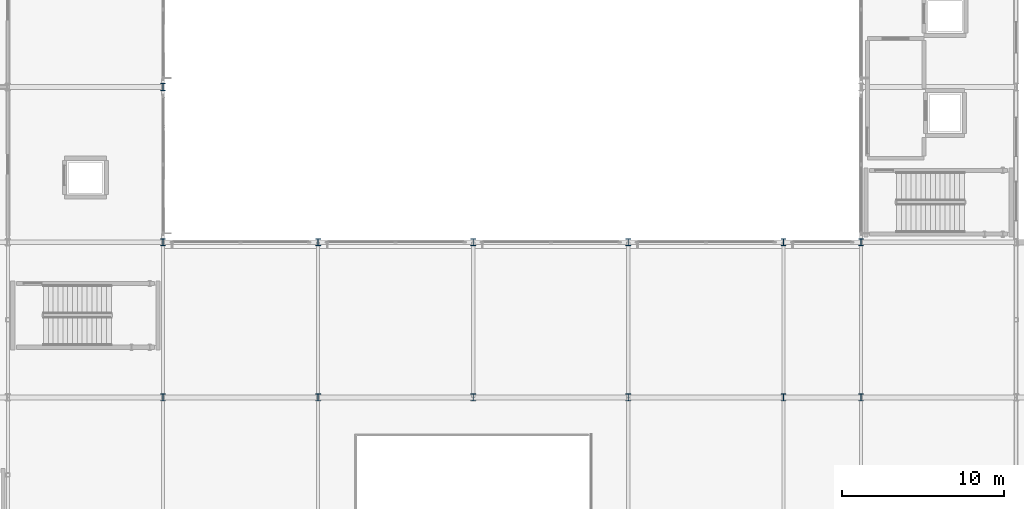
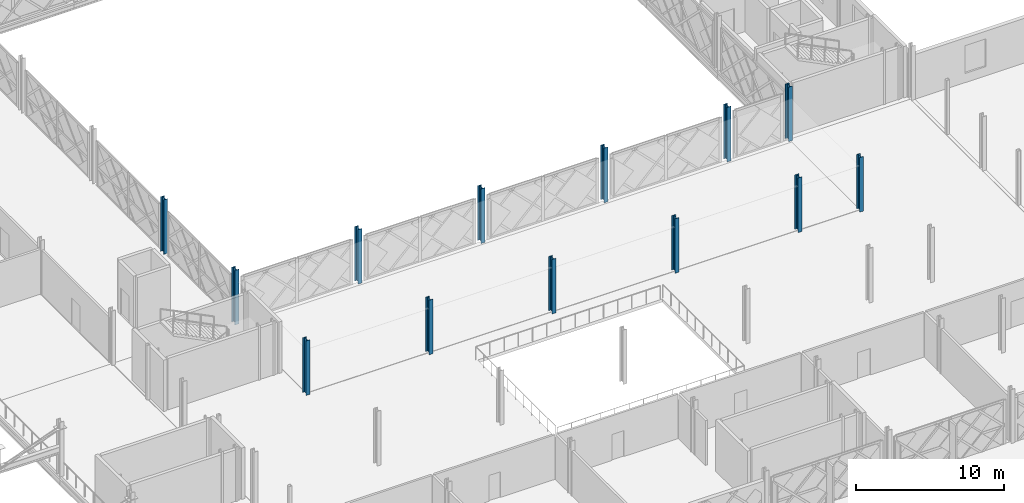
# One storey, part 8 of 101: 13 columns.
"""IFC4 building model written with IfcOpenShell, lengths in metres."""

from ifc_helpers import new_model, si_unit, direction, frame, origin, origin_2d, place, context, subcontext, project, spatial, i_section, extrude, material, material_profile, profile_set, type_object, element, save


model = new_model("IFC4")

# Units and contexts
model_context = context("Model", 3, precision=1e-05, world=origin(), true_north=direction((0.0, 1.0)))
body_context = subcontext(model_context, "Body", "Model", "MODEL_VIEW")
ifc_project = project(units=[si_unit("LENGTHUNIT", "METRE"), si_unit("AREAUNIT", "SQUARE_METRE"), si_unit("VOLUMEUNIT", "CUBIC_METRE"), si_unit("PLANEANGLEUNIT", "RADIAN"), si_unit("MASSUNIT", "GRAM", prefix="KILO")], contexts=[model_context])

# Site, building, storey
site_placement = place(None, origin())
site = spatial("IfcSite", under=ifc_project, at=site_placement, CompositionType="ELEMENT")
building_placement = place(site_placement, origin())
building = spatial("IfcBuilding", under=site, at=building_placement, Name="Zevrakil Square Congress Hotel", CompositionType="ELEMENT")
storey_placement = place(building_placement, frame((0.0, 0.0, 5.39990234375)))
storey = spatial("IfcBuildingStorey", under=building, at=storey_placement, Name="L02", CompositionType="ELEMENT", Elevation=5.39990234375)

# Columns
ifc_material = material(Name="Steel S355", Category="steel")
ifc_material_profile = material_profile(ifc_material, i_section(OverallWidth=0.300048828125, OverallDepth=0.449951171875, WebThickness=0.013916015625, FlangeThickness=0.02587890625, FilletRadius=0.027099609375, at=origin_2d()), Name="HEB 450")
ifc_profile_set = profile_set([ifc_material_profile], Name="Steel S355")
column_type = type_object("IfcColumnType", Name="COL-HEB450", PredefinedType="COLUMN", material=ifc_profile_set)
for number, where, z_axis, x_axis, name in (
    (1, (64.800048828125, 36.0, 0.0), (0.0, 0.0, 1.0), (1.0, 0.0, 0.0), "L02 column C-103"),
    (2, (64.800048828125, 45.60009765625, 0.0), (0.0, 0.0, 1.0), (1.0, 0.0, 0.0), "L02 column C-104"),
    (3, (64.800048828125, 55.199951171875, 0.0), (0.0, 0.0, 1.0), (1.0, 0.0, 0.0), "L02 column C-105"),
    (4, (74.39990234375, 36.0, 0.0), (0.0, 0.0, 1.0), (1.0, 0.0, 0.0), "L02 column C-117"),
    (5, (74.39990234375, 45.60009765625, 0.0), (0.0, 0.0, 1.0), (1.0, 0.0, 0.0), "L02 column C-118"),
    (6, (84.0, 36.0, 0.0), (0.0, 0.0, 1.0), (1.0, 0.0, 0.0), "L02 column C-129"),
    (7, (84.0, 45.60009765625, 0.0), (0.0, 0.0, 1.0), (1.0, 0.0, 0.0), "L02 column C-130"),
    (8, (93.60009765625, 36.0, 0.0), (0.0, 0.0, 1.0), (1.0, 0.0, 0.0), "L02 column C-141"),
    (9, (93.60009765625, 45.60009765625, 0.0), (0.0, 0.0, 1.0), (1.0, 0.0, 0.0), "L02 column C-142"),
    (10, (103.199951171875, 36.0, 0.0), (0.0, 0.0, 1.0), (1.0, 0.0, 0.0), "L02 column C-153"),
    (11, (103.199951171875, 45.60009765625, 0.0), (0.0, 0.0, 1.0), (1.0, 0.0, 0.0), "L02 column C-154"),
    (12, (108.0, 36.0, 0.0), (0.0, 0.0, 1.0), (1.0, 0.0, 0.0), "L02 column C-167"),
    (13, (108.0, 45.60009765625, 0.0), (0.0, 0.0, 1.0), (1.0, 0.0, 0.0), "L02 column C-168"),
):
    element("IfcColumn", number, at=place(storey_placement, frame(where, z_axis=z_axis, x_axis=x_axis)), inside=storey, type_object=column_type, Name=name, PredefinedType="COLUMN", context=body_context, shape_type="SweptSolid", body=[
        extrude(i_section(OverallWidth=0.300048828125, OverallDepth=0.449951171875, WebThickness=0.013916015625, FlangeThickness=0.02587890625, FilletRadius=0.027099609375, at=origin_2d()), origin(), (0.0, 0.0, 1.0), 4.5),
    ])

save(model, "model.ifc")
